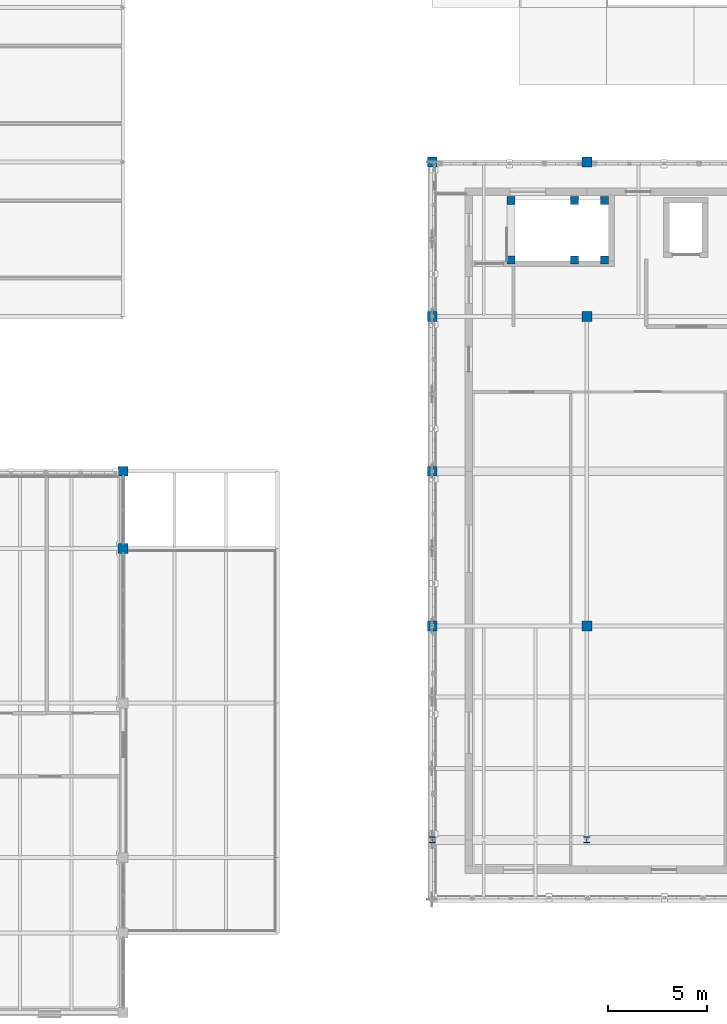
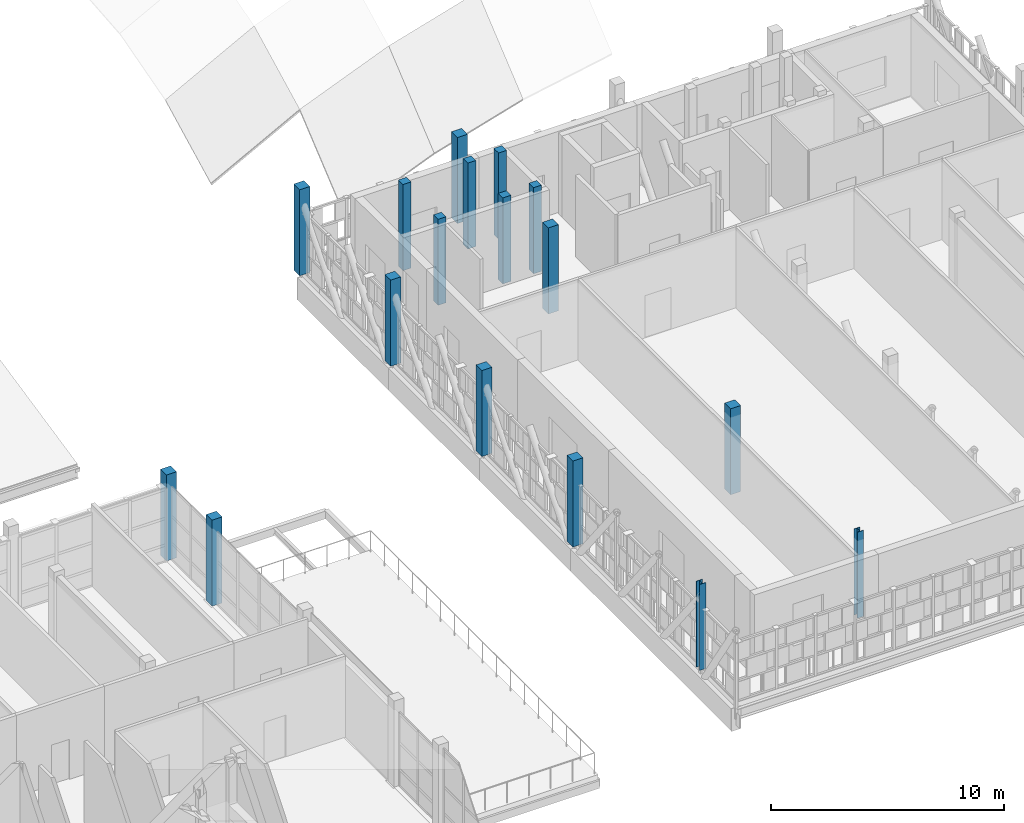
# One storey, part 2 of 89: 17 columns.
"""IFC4 building model written with IfcOpenShell, lengths in metres."""

from ifc_helpers import new_model, si_unit, direction, frame, origin, origin_2d, place, context, subcontext, project, spatial, rectangle, i_section, extrude, material, material_profile, profile_set, type_object, element, save


model = new_model("IFC4")

# Units and contexts
model_context = context("Model", 3, precision=1e-05, world=origin(), true_north=direction((0.0, 1.0)))
body_context = subcontext(model_context, "Body", "Model", "MODEL_VIEW")
ifc_project = project(units=[si_unit("LENGTHUNIT", "METRE"), si_unit("AREAUNIT", "SQUARE_METRE"), si_unit("VOLUMEUNIT", "CUBIC_METRE"), si_unit("PLANEANGLEUNIT", "RADIAN"), si_unit("MASSUNIT", "GRAM", prefix="KILO")], contexts=[model_context])

# Site, building, storey
site_placement = place(None, origin())
site = spatial("IfcSite", under=ifc_project, at=site_placement, CompositionType="ELEMENT")
building_placement = place(site_placement, origin())
building = spatial("IfcBuilding", under=site, at=building_placement, Name="Celorna Specialist Clinic", CompositionType="ELEMENT")
storey_placement = place(building_placement, frame((0.0, 0.0, 14.10009765625)))
storey = spatial("IfcBuildingStorey", under=building, at=storey_placement, Name="L03", CompositionType="ELEMENT", Elevation=14.10009765625)

# Columns
ifc_material_1 = material(Name="Concrete C35/45", Category="concrete")
ifc_material_profile_1 = material_profile(ifc_material_1, rectangle(XDim=0.5, YDim=0.5, at=origin_2d()), Name="RC 500x500")
ifc_profile_set_1 = profile_set([ifc_material_profile_1], Name="Concrete C35/45")
column_type_1 = type_object("IfcColumnType", Name="CT-06", PredefinedType="COLUMN", material=ifc_profile_set_1)
for number, where, z_axis, x_axis, name in (
    (1, (39.0, 23.39990234375, 0.0), (0.0, 0.0, 1.0), (1.0, 0.0, 0.0), "Column CT-06 L03 X06/YE"),
    (2, (39.0, 27.300048828125, 0.0), (0.0, 0.0, 1.0), (1.0, 0.0, 0.0), "Column CT-06 L03 X06/YF"),
    (3, (54.60009765625, 19.5, 0.0), (0.0, 0.0, 1.0), (1.0, 0.0, 0.0), "Column CT-06 L03 X08/YE"),
    (4, (54.60009765625, 27.300048828125, 0.0), (0.0, 0.0, 1.0), (1.0, 0.0, 0.0), "Column CT-06 L03 X08/YF"),
    (5, (54.60009765625, 35.10009765625, 0.0), (0.0, 0.0, 1.0), (1.0, 0.0, 0.0), "Column CT-06 L03 X08/YG"),
    (6, (54.60009765625, 42.89990234375, 0.0), (0.0, 0.0, 1.0), (1.0, 0.0, 0.0), "Column CT-06 L03 X08/YH"),
    (7, (62.39990234375, 19.5, 0.0), (0.0, 0.0, 1.0), (1.0, 0.0, 0.0), "Column CT-06 L03 X09/YE"),
    (8, (62.39990234375, 35.10009765625, 0.0), (0.0, 0.0, 1.0), (1.0, 0.0, 0.0), "Column CT-06 L03 X09/YG"),
    (9, (62.39990234375, 42.89990234375, 0.0), (0.0, 0.0, 1.0), (1.0, 0.0, 0.0), "Column CT-06 L03 X09/YH"),
):
    element("IfcColumn", number, at=place(storey_placement, frame(where, z_axis=z_axis, x_axis=x_axis)), inside=storey, type_object=column_type_1, Name=name, PredefinedType="COLUMN", context=body_context, shape_type="SweptSolid", body=[
        extrude(rectangle(XDim=0.5, YDim=0.5, at=origin_2d()), origin(), (0.0, 0.0, 1.0), 4.5),
    ])
ifc_material_profile_2 = material_profile(ifc_material_1, rectangle(XDim=0.39990234375, YDim=0.39990234375, at=origin_2d()), Name="RC 400x400")
ifc_profile_set_2 = profile_set([ifc_material_profile_2], Name="Concrete C35/45")
column_type_2 = type_object("IfcColumnType", Name="CT-08", PredefinedType="COLUMN", material=ifc_profile_set_2)
for number, where, z_axis, x_axis, name in (
    (10, (58.580078125, 37.969970703125, 0.0), (0.0, 0.0, 1.0), (1.0, 0.0, 0.0), "Stair ST-08 landing column CT-08 L03 X09/YG"),
    (11, (58.580078125, 40.969970703125, 0.0), (0.0, 0.0, 1.0), (1.0, 0.0, 0.0), "Stair ST-08 landing column CT-08 L03 X09/YH"),
    (12, (61.780029296875, 37.969970703125, 0.0), (0.0, 0.0, 1.0), (1.0, 0.0, 0.0), "Stair ST-08 landing column CT-08 L03 X09/YG"),
    (13, (61.780029296875, 40.969970703125, 0.0), (0.0, 0.0, 1.0), (1.0, 0.0, 0.0), "Stair ST-08 landing column CT-08 L03 X09/YH"),
    (14, (63.300048828125, 37.969970703125, 0.0), (0.0, 0.0, 1.0), (1.0, 0.0, 0.0), "Stair ST-08 landing column CT-08 L03 X09/YG"),
    (15, (63.300048828125, 40.969970703125, 0.0), (0.0, 0.0, 1.0), (1.0, 0.0, 0.0), "Stair ST-08 landing column CT-08 L03 X09/YH"),
):
    element("IfcColumn", number, at=place(storey_placement, frame(where, z_axis=z_axis, x_axis=x_axis)), inside=storey, type_object=column_type_2, Name=name, PredefinedType="COLUMN", context=body_context, shape_type="SweptSolid", body=[
        extrude(rectangle(XDim=0.39990234375, YDim=0.39990234375, at=origin_2d()), origin(), (0.0, 0.0, 1.0), 4.5),
    ])
ifc_material_2 = material(Name="Steel S355", Category="steel")
ifc_material_profile_3 = material_profile(ifc_material_2, i_section(OverallWidth=0.300048828125, OverallDepth=0.300048828125, WebThickness=0.010986328125, FlangeThickness=0.01904296875, at=origin_2d()), Name="HE 300 B")
ifc_profile_set_3 = profile_set([ifc_material_profile_3], Name="Steel S355")
column_type_3 = type_object("IfcColumnType", Name="CT-14", PredefinedType="COLUMN", material=ifc_profile_set_3)
for number, where, z_axis, x_axis, name in (
    (16, (54.60009765625, 8.699951171875, 0.0), (0.0, 0.0, 1.0), (1.0, 0.0, 0.0), "Column CT-14 L03 X08/YC"),
    (17, (62.39990234375, 8.699951171875, 0.0), (0.0, 0.0, 1.0), (1.0, 0.0, 0.0), "Column CT-14 L03 X09/YC"),
):
    element("IfcColumn", number, at=place(storey_placement, frame(where, z_axis=z_axis, x_axis=x_axis)), inside=storey, type_object=column_type_3, Name=name, PredefinedType="COLUMN", context=body_context, shape_type="SweptSolid", body=[
        extrude(i_section(OverallWidth=0.300048828125, OverallDepth=0.300048828125, WebThickness=0.010986328125, FlangeThickness=0.01904296875, at=origin_2d()), origin(), (0.0, 0.0, 1.0), 4.5),
    ])

save(model, "model.ifc")
